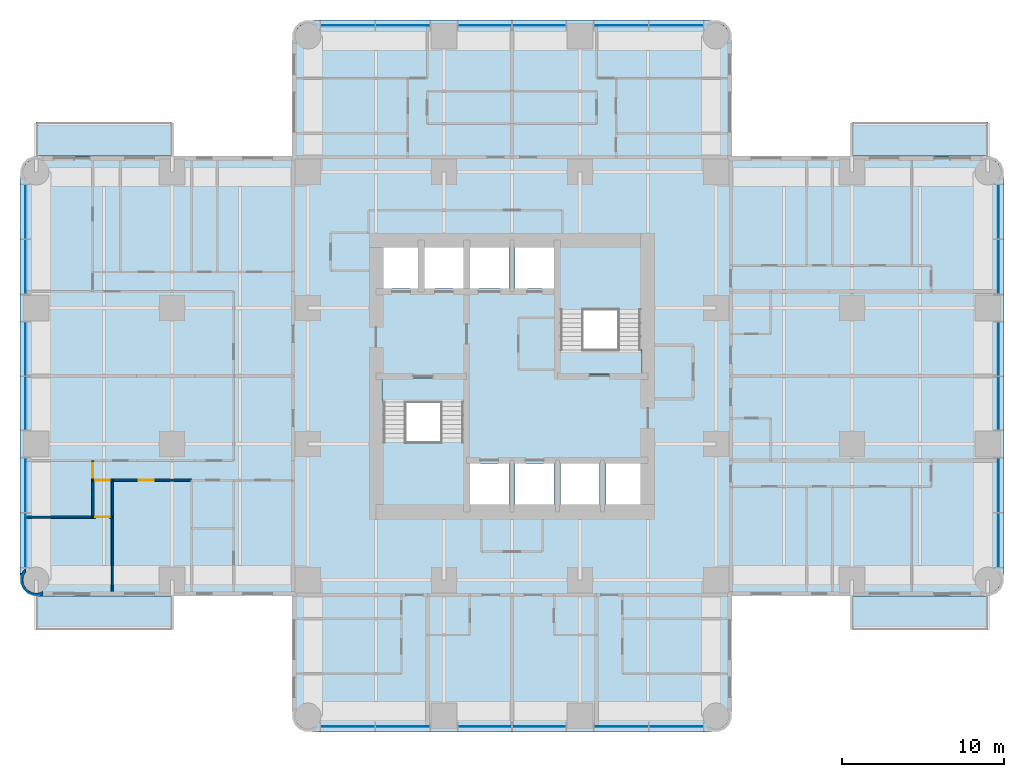
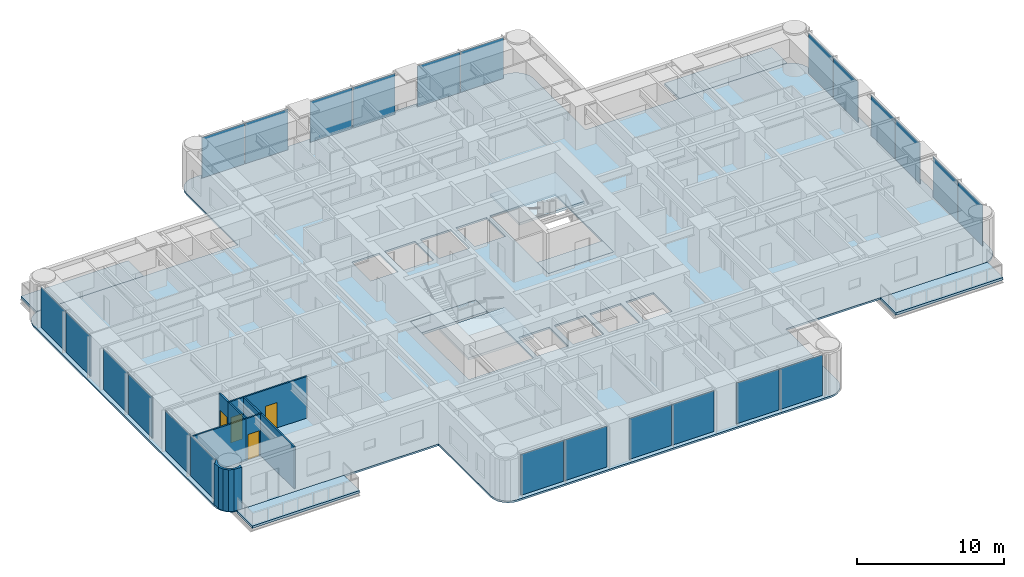
# One storey, part 5 of 14: 24 plates, 9 slabs, 9 walls, 4 doors, 4 openings, 6 elements without a shape of their own.
"""IFC4 building model written with IfcOpenShell, lengths in metres."""

from ifc_helpers import new_model, si_unit, direction, frame, frame_2d, origin, origin_2d, place, context, subcontext, project, spatial, polyline, rectangle, outline, extrude, material, layer, layer_set, type_object, element, fill, aggregate, save


model = new_model("IFC4")

# Units and contexts
model_context = context("Model", 3, precision=1e-05, world=origin(), true_north=direction((0.0, 1.0)))
body_context = subcontext(model_context, "Body", "Model", "MODEL_VIEW")
ifc_project = project(units=[si_unit("LENGTHUNIT", "METRE"), si_unit("AREAUNIT", "SQUARE_METRE"), si_unit("VOLUMEUNIT", "CUBIC_METRE"), si_unit("PLANEANGLEUNIT", "RADIAN"), si_unit("MASSUNIT", "GRAM", prefix="KILO")], contexts=[model_context])

# Site, building, storey
site_placement = place(None, origin())
site = spatial("IfcSite", under=ifc_project, at=site_placement, CompositionType="ELEMENT")
building_placement = place(site_placement, origin())
building = spatial("IfcBuilding", under=site, at=building_placement, Name="Torre Alcanfor", CompositionType="ELEMENT")
storey_placement = place(building_placement, frame((0.0, 0.0, 159.300048828125)))
storey = spatial("IfcBuildingStorey", under=building, at=storey_placement, Name="L41", CompositionType="ELEMENT", Elevation=159.300048828125)

# Slabs
ifc_material_1 = material(Name="Concrete f'c 35 MPa", Category="concrete")
ifc_layer_1 = layer(ifc_material_1, 0.199951171875)
ifc_layer_set_1 = layer_set([ifc_layer_1], Name="Balcony slab 200")
slab_type_1 = type_object("IfcSlabType", Name="Balcony slab 200", PredefinedType="FLOOR", material=ifc_layer_set_1)
slab_1_placement = place(storey_placement, frame((0.0, 0.0, -0.199951171875)))
element("IfcSlab", 1, at=slab_1_placement, inside=storey, type_object=slab_type_1, Name="Balcony L41-E1", PredefinedType="FLOOR", context=body_context, shape_type="SweptSolid", body=[
    extrude(outline(polyline([(50.39990234375, 43.0), (58.800048828125, 43.0), (58.800048828125, 45.10009765625), (50.39990234375, 45.10009765625), (50.39990234375, 43.0)])), origin(), (0.0, 0.0, 1.0), 0.199951171875),
])
slab_2_placement = place(storey_placement, frame((0.0, 0.0, -0.199951171875)))
element("IfcSlab", 2, at=slab_2_placement, inside=storey, type_object=slab_type_1, Name="Balcony L41-E2", PredefinedType="FLOOR", context=body_context, shape_type="SweptSolid", body=[
    extrude(outline(polyline([(50.39990234375, 13.699951171875), (58.800048828125, 13.699951171875), (58.800048828125, 15.800048828125), (50.39990234375, 15.800048828125), (50.39990234375, 13.699951171875)])), origin(), (0.0, 0.0, 1.0), 0.199951171875),
])
slab_3_placement = place(storey_placement, frame((0.0, 0.0, -0.199951171875)))
element("IfcSlab", 3, at=slab_3_placement, inside=storey, type_object=slab_type_1, Name="Balcony L41-W1", PredefinedType="FLOOR", context=body_context, shape_type="SweptSolid", body=[
    extrude(outline(polyline([(8.39990234375, 15.800048828125), (0.0, 15.800048828125), (0.0, 13.699951171875), (8.39990234375, 13.699951171875), (8.39990234375, 15.800048828125)])), origin(), (0.0, 0.0, 1.0), 0.199951171875),
])
slab_4_placement = place(storey_placement, frame((0.0, 0.0, -0.199951171875)))
element("IfcSlab", 4, at=slab_4_placement, inside=storey, type_object=slab_type_1, Name="Balcony L41-W2", PredefinedType="FLOOR", context=body_context, shape_type="SweptSolid", body=[
    extrude(outline(polyline([(8.39990234375, 45.10009765625), (0.0, 45.10009765625), (0.0, 43.0), (8.39990234375, 43.0), (8.39990234375, 45.10009765625)])), origin(), (0.0, 0.0, 1.0), 0.199951171875),
])

# Curtain wall, plates
ifc_material_2 = material(Name="Aluminium and glass", Category="aluminium")
curtain_wall_type = type_object("IfcCurtainWallType", Name="CW-A unitised apartment glazing with vertical FIN", PredefinedType="NOTDEFINED", material=ifc_material_2)
curtain_wall_1_placement = place(storey_placement, origin())
curtain_wall_1 = element("IfcCurtainWall", 5, at=curtain_wall_1_placement, inside=storey, type_object=curtain_wall_type, Name="Curtain wall CW-A L41 2", PredefinedType="NOTDEFINED")
ifc_material_3 = material(Name="Glass", Category="glass")
ifc_layer_2 = layer(ifc_material_3, 0.028076171875)
ifc_layer_set_2 = layer_set([ifc_layer_2], Name="CW-A clear double glazed unit")
plate_type = type_object("IfcPlateType", Name="CW-A clear double glazed unit", PredefinedType="CURTAIN_PANEL", material=ifc_layer_set_2)
plate_1_placement = place(storey_placement, frame((-0.64990234375, 39.541259765625, 0.0), z_axis=(0.0, 0.0, 1.0), x_axis=(0.0, -1.0, 0.0)))
plate_1 = element("IfcPlate", 6, at=plate_1_placement, type_object=plate_type, Name="CW-A panel 1.1.1", PredefinedType="CURTAIN_PANEL", context=body_context, shape_type="SweptSolid", body=[
    extrude(rectangle(XDim=3.337646484375, YDim=0.028076171875, at=origin_2d()), origin(), (0.0, 0.0, 1.0), 3.385009765625),
])
plate_2_placement = place(storey_placement, frame((-0.64990234375, 36.138671875, 0.0), z_axis=(0.0, 0.0, 1.0), x_axis=(0.0, -1.0, 0.0)))
plate_2 = element("IfcPlate", 7, at=plate_2_placement, type_object=plate_type, Name="CW-A panel 1.2.1", PredefinedType="CURTAIN_PANEL", context=body_context, shape_type="SweptSolid", body=[
    extrude(rectangle(XDim=3.337646484375, YDim=0.028076171875, at=origin_2d()), origin(), (0.0, 0.0, 1.0), 3.385009765625),
])
plate_3_placement = place(storey_placement, frame((-0.64990234375, 31.081298828125, 0.0), z_axis=(0.0, 0.0, 1.0), x_axis=(0.0, -1.0, 0.0)))
plate_3 = element("IfcPlate", 8, at=plate_3_placement, type_object=plate_type, Name="CW-A panel 2.1.1", PredefinedType="CURTAIN_PANEL", context=body_context, shape_type="SweptSolid", body=[
    extrude(rectangle(XDim=3.297607421875, YDim=0.028076171875, at=origin_2d()), origin(), (0.0, 0.0, 1.0), 3.385009765625),
])
plate_4_placement = place(storey_placement, frame((-0.64990234375, 27.71875, 0.0), z_axis=(0.0, 0.0, 1.0), x_axis=(0.0, -1.0, 0.0)))
plate_4 = element("IfcPlate", 9, at=plate_4_placement, type_object=plate_type, Name="CW-A panel 2.2.1", PredefinedType="CURTAIN_PANEL", context=body_context, shape_type="SweptSolid", body=[
    extrude(rectangle(XDim=3.297607421875, YDim=0.028076171875, at=origin_2d()), origin(), (0.0, 0.0, 1.0), 3.385009765625),
])
plate_5_placement = place(storey_placement, frame((-0.64990234375, 22.6611328125, 0.0), z_axis=(0.0, 0.0, 1.0), x_axis=(0.0, -1.0, 0.0)))
plate_5 = element("IfcPlate", 10, at=plate_5_placement, type_object=plate_type, Name="CW-A panel 3.1.1", PredefinedType="CURTAIN_PANEL", context=body_context, shape_type="SweptSolid", body=[
    extrude(rectangle(XDim=3.337646484375, YDim=0.028076171875, at=origin_2d()), origin(), (0.0, 0.0, 1.0), 3.385009765625),
])
plate_6_placement = place(storey_placement, frame((-0.64990234375, 19.2587890625, 0.0), z_axis=(0.0, 0.0, 1.0), x_axis=(0.0, -1.0, 0.0)))
plate_6 = element("IfcPlate", 11, at=plate_6_placement, type_object=plate_type, Name="CW-A panel 3.2.1", PredefinedType="CURTAIN_PANEL", context=body_context, shape_type="SweptSolid", body=[
    extrude(rectangle(XDim=3.337646484375, YDim=0.028076171875, at=origin_2d()), origin(), (0.0, 0.0, 1.0), 3.385009765625),
])
aggregate(curtain_wall_1, [plate_1, plate_2, plate_3, plate_4, plate_5, plate_6])

curtain_wall_2_placement = place(storey_placement, origin())
curtain_wall_2 = element("IfcCurtainWall", 12, at=curtain_wall_2_placement, inside=storey, type_object=curtain_wall_type, Name="Curtain wall CW-A L41 5", PredefinedType="NOTDEFINED")
plate_7_placement = place(storey_placement, frame((19.2587890625, 7.75, 0.0), z_axis=(0.0, 0.0, 1.0), x_axis=(1.0, 0.0, 0.0)))
plate_7 = element("IfcPlate", 13, at=plate_7_placement, type_object=plate_type, Name="CW-A panel 1.1.1", PredefinedType="CURTAIN_PANEL", context=body_context, shape_type="SweptSolid", body=[
    extrude(rectangle(XDim=3.337646484375, YDim=0.028076171875, at=origin_2d()), origin(), (0.0, 0.0, 1.0), 3.385009765625),
])
plate_8_placement = place(storey_placement, frame((22.6611328125, 7.75, 0.0), z_axis=(0.0, 0.0, 1.0), x_axis=(1.0, 0.0, 0.0)))
plate_8 = element("IfcPlate", 14, at=plate_8_placement, type_object=plate_type, Name="CW-A panel 1.2.1", PredefinedType="CURTAIN_PANEL", context=body_context, shape_type="SweptSolid", body=[
    extrude(rectangle(XDim=3.337646484375, YDim=0.028076171875, at=origin_2d()), origin(), (0.0, 0.0, 1.0), 3.385009765625),
])
plate_9_placement = place(storey_placement, frame((27.71875, 7.75, 0.0), z_axis=(0.0, 0.0, 1.0), x_axis=(1.0, 0.0, 0.0)))
plate_9 = element("IfcPlate", 15, at=plate_9_placement, type_object=plate_type, Name="CW-A panel 2.1.1", PredefinedType="CURTAIN_PANEL", context=body_context, shape_type="SweptSolid", body=[
    extrude(rectangle(XDim=3.297607421875, YDim=0.028076171875, at=origin_2d()), origin(), (0.0, 0.0, 1.0), 3.385009765625),
])
plate_10_placement = place(storey_placement, frame((31.081298828125, 7.75, 0.0), z_axis=(0.0, 0.0, 1.0), x_axis=(1.0, 0.0, 0.0)))
plate_10 = element("IfcPlate", 16, at=plate_10_placement, type_object=plate_type, Name="CW-A panel 2.2.1", PredefinedType="CURTAIN_PANEL", context=body_context, shape_type="SweptSolid", body=[
    extrude(rectangle(XDim=3.297607421875, YDim=0.028076171875, at=origin_2d()), origin(), (0.0, 0.0, 1.0), 3.385009765625),
])
plate_11_placement = place(storey_placement, frame((36.138671875, 7.75, 0.0), z_axis=(0.0, 0.0, 1.0), x_axis=(1.0, 0.0, 0.0)))
plate_11 = element("IfcPlate", 17, at=plate_11_placement, type_object=plate_type, Name="CW-A panel 3.1.1", PredefinedType="CURTAIN_PANEL", context=body_context, shape_type="SweptSolid", body=[
    extrude(rectangle(XDim=3.337646484375, YDim=0.028076171875, at=origin_2d()), origin(), (0.0, 0.0, 1.0), 3.385009765625),
])
plate_12_placement = place(storey_placement, frame((39.541259765625, 7.75, 0.0), z_axis=(0.0, 0.0, 1.0), x_axis=(1.0, 0.0, 0.0)))
plate_12 = element("IfcPlate", 18, at=plate_12_placement, type_object=plate_type, Name="CW-A panel 3.2.1", PredefinedType="CURTAIN_PANEL", context=body_context, shape_type="SweptSolid", body=[
    extrude(rectangle(XDim=3.337646484375, YDim=0.028076171875, at=origin_2d()), origin(), (0.0, 0.0, 1.0), 3.385009765625),
])
aggregate(curtain_wall_2, [plate_7, plate_8, plate_9, plate_10, plate_11, plate_12])

curtain_wall_3_placement = place(storey_placement, origin())
curtain_wall_3 = element("IfcCurtainWall", 19, at=curtain_wall_3_placement, inside=storey, type_object=curtain_wall_type, Name="Curtain wall CW-A L41 8", PredefinedType="NOTDEFINED")
plate_13_placement = place(storey_placement, frame((59.449951171875, 19.2587890625, 0.0), z_axis=(0.0, 0.0, 1.0), x_axis=(0.0, 1.0, 0.0)))
plate_13 = element("IfcPlate", 20, at=plate_13_placement, type_object=plate_type, Name="CW-A panel 1.1.1", PredefinedType="CURTAIN_PANEL", context=body_context, shape_type="SweptSolid", body=[
    extrude(rectangle(XDim=3.337646484375, YDim=0.028076171875, at=origin_2d()), origin(), (0.0, 0.0, 1.0), 3.385009765625),
])
plate_14_placement = place(storey_placement, frame((59.449951171875, 22.6611328125, 0.0), z_axis=(0.0, 0.0, 1.0), x_axis=(0.0, 1.0, 0.0)))
plate_14 = element("IfcPlate", 21, at=plate_14_placement, type_object=plate_type, Name="CW-A panel 1.2.1", PredefinedType="CURTAIN_PANEL", context=body_context, shape_type="SweptSolid", body=[
    extrude(rectangle(XDim=3.337646484375, YDim=0.028076171875, at=origin_2d()), origin(), (0.0, 0.0, 1.0), 3.385009765625),
])
plate_15_placement = place(storey_placement, frame((59.449951171875, 27.71875, 0.0), z_axis=(0.0, 0.0, 1.0), x_axis=(0.0, 1.0, 0.0)))
plate_15 = element("IfcPlate", 22, at=plate_15_placement, type_object=plate_type, Name="CW-A panel 2.1.1", PredefinedType="CURTAIN_PANEL", context=body_context, shape_type="SweptSolid", body=[
    extrude(rectangle(XDim=3.297607421875, YDim=0.028076171875, at=origin_2d()), origin(), (0.0, 0.0, 1.0), 3.385009765625),
])
plate_16_placement = place(storey_placement, frame((59.449951171875, 31.081298828125, 0.0), z_axis=(0.0, 0.0, 1.0), x_axis=(0.0, 1.0, 0.0)))
plate_16 = element("IfcPlate", 23, at=plate_16_placement, type_object=plate_type, Name="CW-A panel 2.2.1", PredefinedType="CURTAIN_PANEL", context=body_context, shape_type="SweptSolid", body=[
    extrude(rectangle(XDim=3.297607421875, YDim=0.028076171875, at=origin_2d()), origin(), (0.0, 0.0, 1.0), 3.385009765625),
])
plate_17_placement = place(storey_placement, frame((59.449951171875, 36.138671875, 0.0), z_axis=(0.0, 0.0, 1.0), x_axis=(0.0, 1.0, 0.0)))
plate_17 = element("IfcPlate", 24, at=plate_17_placement, type_object=plate_type, Name="CW-A panel 3.1.1", PredefinedType="CURTAIN_PANEL", context=body_context, shape_type="SweptSolid", body=[
    extrude(rectangle(XDim=3.337646484375, YDim=0.028076171875, at=origin_2d()), origin(), (0.0, 0.0, 1.0), 3.385009765625),
])
plate_18_placement = place(storey_placement, frame((59.449951171875, 39.541259765625, 0.0), z_axis=(0.0, 0.0, 1.0), x_axis=(0.0, 1.0, 0.0)))
plate_18 = element("IfcPlate", 25, at=plate_18_placement, type_object=plate_type, Name="CW-A panel 3.2.1", PredefinedType="CURTAIN_PANEL", context=body_context, shape_type="SweptSolid", body=[
    extrude(rectangle(XDim=3.337646484375, YDim=0.028076171875, at=origin_2d()), origin(), (0.0, 0.0, 1.0), 3.385009765625),
])
aggregate(curtain_wall_3, [plate_13, plate_14, plate_15, plate_16, plate_17, plate_18])

curtain_wall_4_placement = place(storey_placement, origin())
curtain_wall_4 = element("IfcCurtainWall", 26, at=curtain_wall_4_placement, inside=storey, type_object=curtain_wall_type, Name="Curtain wall CW-A L41 11", PredefinedType="NOTDEFINED")
plate_19_placement = place(storey_placement, frame((39.541259765625, 51.050048828125, 0.0), z_axis=(0.0, 0.0, 1.0), x_axis=(-1.0, 0.0, 0.0)))
plate_19 = element("IfcPlate", 27, at=plate_19_placement, type_object=plate_type, Name="CW-A panel 1.1.1", PredefinedType="CURTAIN_PANEL", context=body_context, shape_type="SweptSolid", body=[
    extrude(rectangle(XDim=3.337646484375, YDim=0.028076171875, at=origin_2d()), origin(), (0.0, 0.0, 1.0), 3.385009765625),
])
plate_20_placement = place(storey_placement, frame((36.138671875, 51.050048828125, 0.0), z_axis=(0.0, 0.0, 1.0), x_axis=(-1.0, 0.0, 0.0)))
plate_20 = element("IfcPlate", 28, at=plate_20_placement, type_object=plate_type, Name="CW-A panel 1.2.1", PredefinedType="CURTAIN_PANEL", context=body_context, shape_type="SweptSolid", body=[
    extrude(rectangle(XDim=3.337646484375, YDim=0.028076171875, at=origin_2d()), origin(), (0.0, 0.0, 1.0), 3.385009765625),
])
plate_21_placement = place(storey_placement, frame((31.081298828125, 51.050048828125, 0.0), z_axis=(0.0, 0.0, 1.0), x_axis=(-1.0, 0.0, 0.0)))
plate_21 = element("IfcPlate", 29, at=plate_21_placement, type_object=plate_type, Name="CW-A panel 2.1.1", PredefinedType="CURTAIN_PANEL", context=body_context, shape_type="SweptSolid", body=[
    extrude(rectangle(XDim=3.297607421875, YDim=0.028076171875, at=origin_2d()), origin(), (0.0, 0.0, 1.0), 3.385009765625),
])
plate_22_placement = place(storey_placement, frame((27.71875, 51.050048828125, 0.0), z_axis=(0.0, 0.0, 1.0), x_axis=(-1.0, 0.0, 0.0)))
plate_22 = element("IfcPlate", 30, at=plate_22_placement, type_object=plate_type, Name="CW-A panel 2.2.1", PredefinedType="CURTAIN_PANEL", context=body_context, shape_type="SweptSolid", body=[
    extrude(rectangle(XDim=3.297607421875, YDim=0.028076171875, at=origin_2d()), origin(), (0.0, 0.0, 1.0), 3.385009765625),
])
plate_23_placement = place(storey_placement, frame((22.6611328125, 51.050048828125, 0.0), z_axis=(0.0, 0.0, 1.0), x_axis=(-1.0, 0.0, 0.0)))
plate_23 = element("IfcPlate", 31, at=plate_23_placement, type_object=plate_type, Name="CW-A panel 3.1.1", PredefinedType="CURTAIN_PANEL", context=body_context, shape_type="SweptSolid", body=[
    extrude(rectangle(XDim=3.337646484375, YDim=0.028076171875, at=origin_2d()), origin(), (0.0, 0.0, 1.0), 3.385009765625),
])
plate_24_placement = place(storey_placement, frame((19.2587890625, 51.050048828125, 0.0), z_axis=(0.0, 0.0, 1.0), x_axis=(-1.0, 0.0, 0.0)))
plate_24 = element("IfcPlate", 32, at=plate_24_placement, type_object=plate_type, Name="CW-A panel 3.2.1", PredefinedType="CURTAIN_PANEL", context=body_context, shape_type="SweptSolid", body=[
    extrude(rectangle(XDim=3.337646484375, YDim=0.028076171875, at=origin_2d()), origin(), (0.0, 0.0, 1.0), 3.385009765625),
])
aggregate(curtain_wall_4, [plate_19, plate_20, plate_21, plate_22, plate_23, plate_24])

# Slab
ifc_material_4 = material(Name="Concrete f'c 35 MPa", Category="concrete")
ifc_layer_3 = layer(ifc_material_4, 0.14990234375)
ifc_layer_set_3 = layer_set([ifc_layer_3], Name="Composite floor 150 on metal deck")
slab_type_2 = type_object("IfcSlabType", Name="Composite floor 150 on metal deck", PredefinedType="FLOOR", material=ifc_layer_set_3)
slab_5_placement = place(storey_placement, frame((0.0, 0.0, -0.150146484375)))
element("IfcSlab", 33, at=slab_5_placement, inside=storey, type_object=slab_type_2, Name="Floor slab L41", PredefinedType="FLOOR", context=body_context, shape_type="SweptSolid", body=[
    extrude(outline(polyline([(15.800048828125, 43.0), (0.39990234375, 43.0), (0.03759765625, 42.952392578125), (-0.300048828125, 42.8125), (-0.58984375, 42.58984375), (-0.8125, 42.300048828125), (-0.952392578125, 41.96240234375), (-1.0, 41.60009765625), (-1.0, 17.199951171875), (-0.952392578125, 16.837646484375), (-0.8125, 16.5), (-0.58984375, 16.210205078125), (-0.300048828125, 15.987548828125), (0.03759765625, 15.84765625), (0.39990234375, 15.800048828125), (15.800048828125, 15.800048828125), (15.800048828125, 8.800048828125), (15.84765625, 8.437744140625), (15.987548828125, 8.10009765625), (16.210205078125, 7.81005859375), (16.5, 7.587646484375), (16.837646484375, 7.44775390625), (17.199951171875, 7.39990234375), (41.60009765625, 7.39990234375), (41.96240234375, 7.44775390625), (42.300048828125, 7.587646484375), (42.58984375, 7.81005859375), (42.8125, 8.10009765625), (42.952392578125, 8.437744140625), (43.0, 8.800048828125), (43.0, 15.800048828125), (58.39990234375, 15.800048828125), (58.76220703125, 15.84765625), (59.10009765625, 15.987548828125), (59.389892578125, 16.210205078125), (59.6123046875, 16.5), (59.752197265625, 16.837646484375), (59.800048828125, 17.199951171875), (59.800048828125, 41.60009765625), (59.752197265625, 41.96240234375), (59.6123046875, 42.300048828125), (59.389892578125, 42.58984375), (59.10009765625, 42.8125), (58.76220703125, 42.952392578125), (58.39990234375, 43.0), (43.0, 43.0), (43.0, 50.0), (42.952392578125, 50.3623046875), (42.8125, 50.699951171875), (42.58984375, 50.989990234375), (42.300048828125, 51.21240234375), (41.96240234375, 51.352294921875), (41.60009765625, 51.39990234375), (17.199951171875, 51.39990234375), (16.837646484375, 51.352294921875), (16.5, 51.21240234375), (16.210205078125, 50.989990234375), (15.987548828125, 50.699951171875), (15.84765625, 50.3623046875), (15.800048828125, 50.0), (15.800048828125, 43.0)]), holes=[polyline([(21.3701171875, 21.3701171875), (26.47998046875, 21.3701171875), (26.47998046875, 29.280029296875), (21.3701171875, 29.280029296875), (21.3701171875, 21.3701171875)]), polyline([(32.320068359375, 29.52001953125), (37.429931640625, 29.52001953125), (37.429931640625, 37.429931640625), (32.320068359375, 37.429931640625), (32.320068359375, 29.52001953125)]), polyline([(26.800048828125, 21.449951171875), (29.199951171875, 21.449951171875), (29.199951171875, 24.0), (26.800048828125, 24.0), (26.800048828125, 21.449951171875)]), polyline([(29.60009765625, 21.449951171875), (32.0, 21.449951171875), (32.0, 24.0), (29.60009765625, 24.0), (29.60009765625, 21.449951171875)]), polyline([(32.39990234375, 21.449951171875), (34.800048828125, 21.449951171875), (34.800048828125, 24.0), (32.39990234375, 24.0), (32.39990234375, 21.449951171875)]), polyline([(35.199951171875, 21.449951171875), (37.35009765625, 21.449951171875), (37.35009765625, 24.0), (35.199951171875, 24.0), (35.199951171875, 21.449951171875)]), polyline([(21.449951171875, 34.800048828125), (23.60009765625, 34.800048828125), (23.60009765625, 37.35009765625), (21.449951171875, 37.35009765625), (21.449951171875, 34.800048828125)]), polyline([(24.0, 34.800048828125), (26.39990234375, 34.800048828125), (26.39990234375, 37.35009765625), (24.0, 37.35009765625), (24.0, 34.800048828125)]), polyline([(26.800048828125, 34.800048828125), (29.199951171875, 34.800048828125), (29.199951171875, 37.35009765625), (26.800048828125, 37.35009765625), (26.800048828125, 34.800048828125)]), polyline([(29.60009765625, 34.800048828125), (32.0, 34.800048828125), (32.0, 37.35009765625), (29.60009765625, 37.35009765625), (29.60009765625, 34.800048828125)])]), origin(), (0.0, 0.0, 1.0), 0.150146484375),
])

# Stair, slabs
ifc_material_5 = material(Name="Concrete f'c 35 MPa", Category="concrete")
stair_type_1 = type_object("IfcStairType", Name="Exit stair S1 1400 wide", PredefinedType="HALF_TURN_STAIR", material=ifc_material_5)
stair_1_placement = place(storey_placement, origin())
stair_1 = element("IfcStair", 34, at=stair_1_placement, inside=storey, type_object=stair_type_1, Name="Stair S1 L41 to L42", PredefinedType="HALF_TURN_STAIR")
ifc_material_6 = material(Name="Concrete f'c 35 MPa", Category="concrete")
ifc_layer_4 = layer(ifc_material_6, 0.199951171875)
ifc_layer_set_4 = layer_set([ifc_layer_4], Name="Stair landing 200")
slab_type_3 = type_object("IfcSlabType", Name="Stair landing 200", PredefinedType="LANDING", material=ifc_layer_set_4)
slab_6_placement = place(storey_placement, frame((0.0, 0.0, -0.199951171875)))
slab_6 = element("IfcSlab", 35, at=slab_6_placement, type_object=slab_type_3, Name="S1 landing 1", PredefinedType="LANDING", context=body_context, shape_type="SweptSolid", body=[
    extrude(outline(polyline([(21.3701171875, 27.75), (26.47998046875, 27.75), (26.47998046875, 29.280029296875), (21.3701171875, 29.280029296875), (21.3701171875, 27.75)])), origin(), (0.0, 0.0, 1.0), 0.199951171875),
])
slab_7_placement = place(storey_placement, frame((0.0, 0.0, 1.599853515625)))
slab_7 = element("IfcSlab", 36, at=slab_7_placement, type_object=slab_type_3, Name="S1 landing 2", PredefinedType="LANDING", context=body_context, shape_type="SweptSolid", body=[
    extrude(outline(polyline([(21.3701171875, 21.3701171875), (26.47998046875, 21.3701171875), (26.47998046875, 25.330078125), (21.3701171875, 25.330078125), (21.3701171875, 21.3701171875)])), origin(), (0.0, 0.0, 1.0), 0.2001953125),
])
aggregate(stair_1, [slab_6, slab_7])

ifc_material_7 = material(Name="Concrete f'c 35 MPa", Category="concrete")
stair_type_2 = type_object("IfcStairType", Name="Exit stair S2 1400 wide", PredefinedType="HALF_TURN_STAIR", material=ifc_material_7)
stair_2_placement = place(storey_placement, origin())
stair_2 = element("IfcStair", 37, at=stair_2_placement, inside=storey, type_object=stair_type_2, Name="Stair S2 L41 to L42", PredefinedType="HALF_TURN_STAIR")
slab_8_placement = place(storey_placement, frame((0.0, 0.0, -0.199951171875)))
slab_8 = element("IfcSlab", 38, at=slab_8_placement, type_object=slab_type_3, Name="S2 landing 1", PredefinedType="LANDING", context=body_context, shape_type="SweptSolid", body=[
    extrude(outline(polyline([(32.320068359375, 29.52001953125), (37.429931640625, 29.52001953125), (37.429931640625, 31.050048828125), (32.320068359375, 31.050048828125), (32.320068359375, 29.52001953125)])), origin(), (0.0, 0.0, 1.0), 0.199951171875),
])
slab_9_placement = place(storey_placement, frame((0.0, 0.0, 1.599853515625)))
slab_9 = element("IfcSlab", 39, at=slab_9_placement, type_object=slab_type_3, Name="S2 landing 2", PredefinedType="LANDING", context=body_context, shape_type="SweptSolid", body=[
    extrude(outline(polyline([(32.320068359375, 33.469970703125), (37.429931640625, 33.469970703125), (37.429931640625, 37.429931640625), (32.320068359375, 37.429931640625), (32.320068359375, 33.469970703125)])), origin(), (0.0, 0.0, 1.0), 0.2001953125),
])
aggregate(stair_2, [slab_8, slab_9])

# Wall, opening, door
ifc_material_8 = material(Name="Gypsum board on steel studs", Category="steel")
ifc_layer_5 = layer(ifc_material_8, 0.1201171875)
ifc_layer_set_5 = layer_set([ifc_layer_5], Name="Apartment partition 120")
wall_type_1 = type_object("IfcWallType", Name="Apartment partition 120", PredefinedType="PARTITIONING", material=ifc_layer_set_5)
wall_1_placement = place(storey_placement, frame((4.699951171875, 22.970947265625, 0.0), z_axis=(0.0, 0.0, 1.0), x_axis=(1.0, 0.0, 0.0)))
wall_1 = element("IfcWall", 40, at=wall_1_placement, inside=storey, type_object=wall_type_1, Name="Partition L41-W1-HALL / L41-W1-BED3", PredefinedType="PARTITIONING", context=body_context, shape_type="SweptSolid", body=[
    extrude(rectangle(XDim=4.900146484375, YDim=0.1201171875, at=frame_2d((2.4501953125, 0.0))), origin(), (0.0, 0.0, 1.0), 3.449951171875),
])
opening_1_placement = place(wall_1_placement, frame((1.64990234375, 0.0, 0.0)))
opening_1 = element("IfcOpeningElement", 41, at=opening_1_placement, cuts=wall_1, Name="Opening D-R1", PredefinedType="OPENING", context=body_context, shape_type="SweptSolid", body=[
    extrude(rectangle(XDim=0.89990234375, YDim=2.10009765625, at=frame_2d((0.449951171875, 1.050048828125))), frame((0.0, 0.070068359375, 0.0), z_axis=(0.0, -1.0, 0.0), x_axis=(1.0, 0.0, 0.0)), (0.0, 0.0, 1.0), 0.14013671875),
])
ifc_material_9 = material(Name="Timber", Category="wood")
door_type = type_object("IfcDoorType", Name="Internal door 900x2100", OperationType="SINGLE_SWING_LEFT", PredefinedType="DOOR", material=ifc_material_9)
door_1_placement = place(opening_1_placement, frame((0.89990234375, 0.0, 0.0), z_axis=(0.0, 0.0, 1.0), x_axis=(-1.0, 0.0, 0.0)))
door_1 = element("IfcDoor", 42, at=door_1_placement, inside=storey, type_object=door_type, Name="Door L41-W1 bed3", OperationType="SINGLE_SWING_RIGHT", OverallHeight=2.10009765625, OverallWidth=0.89990234375, PredefinedType="DOOR", context=body_context, shape_type="SweptSolid", body=[
    extrude(rectangle(XDim=0.89990234375, YDim=2.10009765625, at=frame_2d((0.449951171875, 1.050048828125))), frame((0.0, 0.025146484375, 0.0), z_axis=(0.0, -1.0, 0.0), x_axis=(1.0, 0.0, 0.0)), (0.0, 0.0, 1.0), 0.050048828125),
])
fill(opening_1, door_1)

wall_2_placement = place(storey_placement, frame((3.5, 22.970947265625, 0.0), z_axis=(0.0, 0.0, 1.0), x_axis=(1.0, 0.0, 0.0)))
wall_2 = element("IfcWall", 43, at=wall_2_placement, inside=storey, type_object=wall_type_1, Name="Partition L41-W1-HALL / L41-W1-VEST", PredefinedType="PARTITIONING", context=body_context, shape_type="SweptSolid", body=[
    extrude(rectangle(XDim=1.199951171875, YDim=0.1201171875, at=frame_2d((0.60009765625, 0.0))), origin(), (0.0, 0.0, 1.0), 3.449951171875),
])
opening_2_placement = place(wall_2_placement, frame((0.14990234375, 0.0, 0.0)))
opening_2 = element("IfcOpeningElement", 44, at=opening_2_placement, cuts=wall_2, Name="Opening D-R1", PredefinedType="OPENING", context=body_context, shape_type="SweptSolid", body=[
    extrude(rectangle(XDim=0.89990234375, YDim=2.10009765625, at=frame_2d((0.449951171875, 1.050048828125))), frame((0.0, 0.070068359375, 0.0), z_axis=(0.0, -1.0, 0.0), x_axis=(1.0, 0.0, 0.0)), (0.0, 0.0, 1.0), 0.14013671875),
])
door_2_placement = place(opening_2_placement, frame((0.89990234375, 0.0, 0.0), z_axis=(0.0, 0.0, 1.0), x_axis=(-1.0, 0.0, 0.0)))
door_2 = element("IfcDoor", 45, at=door_2_placement, inside=storey, type_object=door_type, Name="Door L41-W1 vest", OperationType="SINGLE_SWING_RIGHT", OverallHeight=2.10009765625, OverallWidth=0.89990234375, PredefinedType="DOOR", context=body_context, shape_type="SweptSolid", body=[
    extrude(rectangle(XDim=0.89990234375, YDim=2.10009765625, at=frame_2d((0.449951171875, 1.050048828125))), frame((0.0, 0.025146484375, 0.0), z_axis=(0.0, -1.0, 0.0), x_axis=(1.0, 0.0, 0.0)), (0.0, 0.0, 1.0), 0.050048828125),
])
fill(opening_2, door_2)

wall_3_placement = place(storey_placement, frame((3.5, 24.1708984375, 0.0), z_axis=(0.0, 0.0, 1.0), x_axis=(0.0, -1.0, 0.0)))
wall_3 = element("IfcWall", 46, at=wall_3_placement, inside=storey, type_object=wall_type_1, Name="Partition L41-W1-HALL / L41-W1-BED2", PredefinedType="PARTITIONING", context=body_context, shape_type="SweptSolid", body=[
    extrude(rectangle(XDim=1.199951171875, YDim=0.1201171875, at=frame_2d((0.60009765625, 0.0))), origin(), (0.0, 0.0, 1.0), 3.449951171875),
])
opening_3_placement = place(wall_3_placement, frame((0.15087890625, 0.0, 0.0)))
opening_3 = element("IfcOpeningElement", 47, at=opening_3_placement, cuts=wall_3, Name="Opening D-R1", PredefinedType="OPENING", context=body_context, shape_type="SweptSolid", body=[
    extrude(rectangle(XDim=0.89990234375, YDim=2.10009765625, at=frame_2d((0.449951171875, 1.050048828125))), frame((0.0, 0.070068359375, 0.0), z_axis=(0.0, -1.0, 0.0), x_axis=(1.0, 0.0, 0.0)), (0.0, 0.0, 1.0), 0.14013671875),
])
door_3_placement = place(opening_3_placement, frame((0.89990234375, 0.0, 0.0), z_axis=(0.0, 0.0, 1.0), x_axis=(-1.0, 0.0, 0.0)))
door_3 = element("IfcDoor", 48, at=door_3_placement, inside=storey, type_object=door_type, Name="Door L41-W1 bed2", OperationType="SINGLE_SWING_RIGHT", OverallHeight=2.10009765625, OverallWidth=0.89990234375, PredefinedType="DOOR", context=body_context, shape_type="SweptSolid", body=[
    extrude(rectangle(XDim=0.89990234375, YDim=2.10009765625, at=frame_2d((0.449951171875, 1.050048828125))), frame((0.0, 0.025146484375, 0.0), z_axis=(0.0, -1.0, 0.0), x_axis=(1.0, 0.0, 0.0)), (0.0, 0.0, 1.0), 0.050048828125),
])
fill(opening_3, door_3)

# Walls
wall_4_placement = place(storey_placement, frame((4.699951171875, 22.970947265625, 0.0), z_axis=(0.0, 0.0, 1.0), x_axis=(0.0, -1.0, 0.0)))
element("IfcWall", 49, at=wall_4_placement, inside=storey, type_object=wall_type_1, Name="Partition L41-W1-BED3 / L41-W1-VEST", PredefinedType="PARTITIONING", context=body_context, shape_type="SweptSolid", body=[
    extrude(rectangle(XDim=2.284912109375, YDim=0.1201171875, at=frame_2d((1.142578125, 0.0))), origin(), (0.0, 0.0, 1.0), 3.449951171875),
])
wall_5_placement = place(storey_placement, frame((4.699951171875, 20.68603515625, 0.0), z_axis=(0.0, 0.0, 1.0), x_axis=(0.0, -1.0, 0.0)))
element("IfcWall", 50, at=wall_5_placement, inside=storey, type_object=wall_type_1, Name="Partition L41-W1-BED3 / L41-W1-MASTER", PredefinedType="PARTITIONING", context=body_context, shape_type="SweptSolid", body=[
    extrude(rectangle(XDim=4.5859375, YDim=0.1201171875, at=frame_2d((2.29296875, 0.0))), origin(), (0.0, 0.0, 1.0), 3.449951171875),
])
wall_6_placement = place(storey_placement, frame((3.5, 22.970947265625, 0.0), z_axis=(0.0, 0.0, 1.0), x_axis=(0.0, -1.0, 0.0)))
element("IfcWall", 51, at=wall_6_placement, inside=storey, type_object=wall_type_1, Name="Partition L41-W1-VEST / L41-W1-BED2", PredefinedType="PARTITIONING", context=body_context, shape_type="SweptSolid", body=[
    extrude(rectangle(XDim=2.284912109375, YDim=0.1201171875, at=frame_2d((1.142578125, 0.0))), origin(), (0.0, 0.0, 1.0), 3.449951171875),
])

# Wall, opening, door
wall_7_placement = place(storey_placement, frame((3.5, 20.68603515625, 0.0), z_axis=(0.0, 0.0, 1.0), x_axis=(1.0, 0.0, 0.0)))
wall_7 = element("IfcWall", 52, at=wall_7_placement, inside=storey, type_object=wall_type_1, Name="Partition L41-W1-VEST / L41-W1-MASTER", PredefinedType="PARTITIONING", context=body_context, shape_type="SweptSolid", body=[
    extrude(rectangle(XDim=1.199951171875, YDim=0.1201171875, at=frame_2d((0.60009765625, 0.0))), origin(), (0.0, 0.0, 1.0), 3.449951171875),
])
opening_4_placement = place(wall_7_placement, frame((0.14990234375, 0.0, 0.0)))
opening_4 = element("IfcOpeningElement", 53, at=opening_4_placement, cuts=wall_7, Name="Opening D-R1", PredefinedType="OPENING", context=body_context, shape_type="SweptSolid", body=[
    extrude(rectangle(XDim=0.89990234375, YDim=2.10009765625, at=frame_2d((0.449951171875, 1.050048828125))), frame((0.0, 0.070068359375, 0.0), z_axis=(0.0, -1.0, 0.0), x_axis=(1.0, 0.0, 0.0)), (0.0, 0.0, 1.0), 0.14013671875),
])
door_4_placement = place(opening_4_placement, origin())
door_4 = element("IfcDoor", 54, at=door_4_placement, inside=storey, type_object=door_type, Name="Door L41-W1 master", OperationType="SINGLE_SWING_LEFT", OverallHeight=2.10009765625, OverallWidth=0.89990234375, PredefinedType="DOOR", context=body_context, shape_type="SweptSolid", body=[
    extrude(rectangle(XDim=0.89990234375, YDim=2.10009765625, at=frame_2d((0.449951171875, 1.050048828125))), frame((0.0, 0.02490234375, 0.0), z_axis=(0.0, -1.0, 0.0), x_axis=(1.0, 0.0, 0.0)), (0.0, 0.0, 1.0), 0.050048828125),
])
fill(opening_4, door_4)

# Walls
wall_8_placement = place(storey_placement, frame((-0.64990234375, 20.68603515625, 0.0), z_axis=(0.0, 0.0, 1.0), x_axis=(1.0, 0.0, 0.0)))
element("IfcWall", 55, at=wall_8_placement, inside=storey, type_object=wall_type_1, Name="Partition L41-W1-BED2 / L41-W1-MASTER", PredefinedType="PARTITIONING", context=body_context, shape_type="SweptSolid", body=[
    extrude(rectangle(XDim=4.14990234375, YDim=0.1201171875, at=frame_2d((2.074951171875, 0.0))), origin(), (0.0, 0.0, 1.0), 3.449951171875),
])
ifc_material_10 = material(Name="Limestone cladding", Category="masonry")
ifc_layer_6 = layer(ifc_material_10, 0.0400390625, Name="Facing")
ifc_material_11 = material(Name="Ventilated air cavity")
ifc_layer_7 = layer(ifc_material_11, 0.02001953125, ventilated=True, Name="Ventilated joint")
ifc_material_12 = material(Name="Mineral wool insulation", Category="insulation")
ifc_layer_8 = layer(ifc_material_12, 0.10009765625, Name="Insulation")
ifc_material_13 = material(Name="Concrete f'c 35 MPa", Category="concrete")
ifc_layer_9 = layer(ifc_material_13, 0.139892578125, Name="Backing")
ifc_layer_set_6 = layer_set([ifc_layer_6, ifc_layer_7, ifc_layer_8, ifc_layer_9], Name="Rounded corner pier stone-clad 300")
wall_type_2 = type_object("IfcWallType", Name="Rounded corner pier stone-clad 300", PredefinedType="SOLIDWALL", material=ifc_layer_set_6)
wall_9_placement = place(storey_placement, frame((-0.595317512, 17.448071802, 0.0), z_axis=(0.0, 0.0, 1.0), x_axis=(-0.93923434088, -0.343276641956, 0.0)))
element("IfcWall", 56, at=wall_9_placement, inside=storey, type_object=wall_type_2, Name="Corner pier L41 14", PredefinedType="SOLIDWALL", context=body_context, shape_type="SweptSolid", body=[
    extrude(outline(polyline([(-0.36901687290747565, 1.8895155017116005), (-0.5091640790076659, 1.6212761977701722), (-0.4905903530283585, 1.6144877680830545), (-0.47948243923657013, 1.6086084348003613), (-0.21122522327048593, 1.6199972505432854), (0.08778883447046232, 1.5107119133580826), (0.3225108976454373, 1.2952164137736593), (0.4570343816413681, 1.0061292766156664), (0.470385530542732, 0.6877670550734887), (0.36101638558361415, 0.38852369207353665), (0.14552088599919094, 0.15380162889856172), (0.10803112982284666, 0.13657123594691412), (0.030844170047101382, -0.07461890759558078), (0.24094301513563465, 0.023009904898978376), (0.3335722649355225, 0.12354205241220817), (0.46526570659148436, 0.09412537095504334), (0.5319165148651629, 0.3931255880778293), (0.6305582647631567, 0.6630178779252955), (0.6143066479271062, 1.0445648337608835), (0.4533864294189357, 1.390867848169107), (0.172157378959642, 1.6490946263605986), (-0.09750560562882049, 1.747652568484677), (-0.36901687290747565, 1.8895155017116005)])), origin(), (0.0, 0.0, 1.0), 3.449951171875),
])

save(model, "model.ifc")
